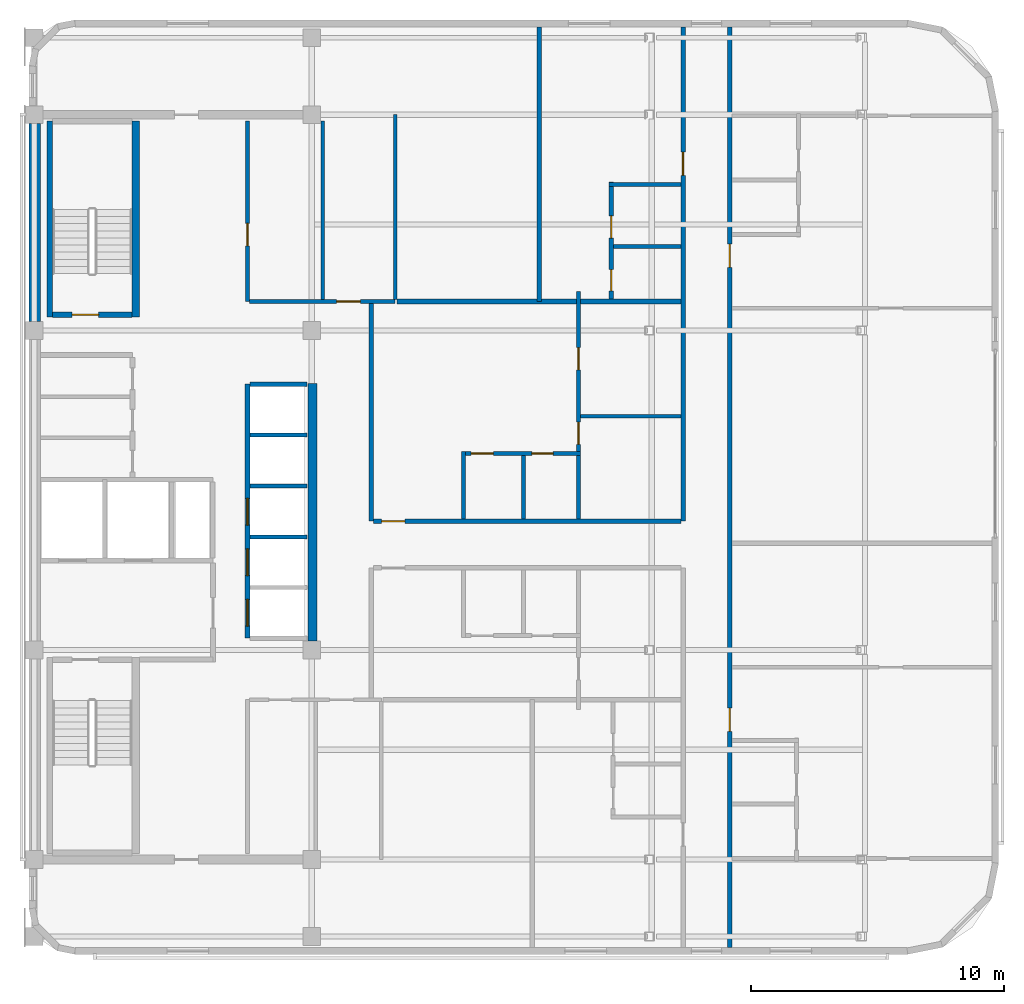
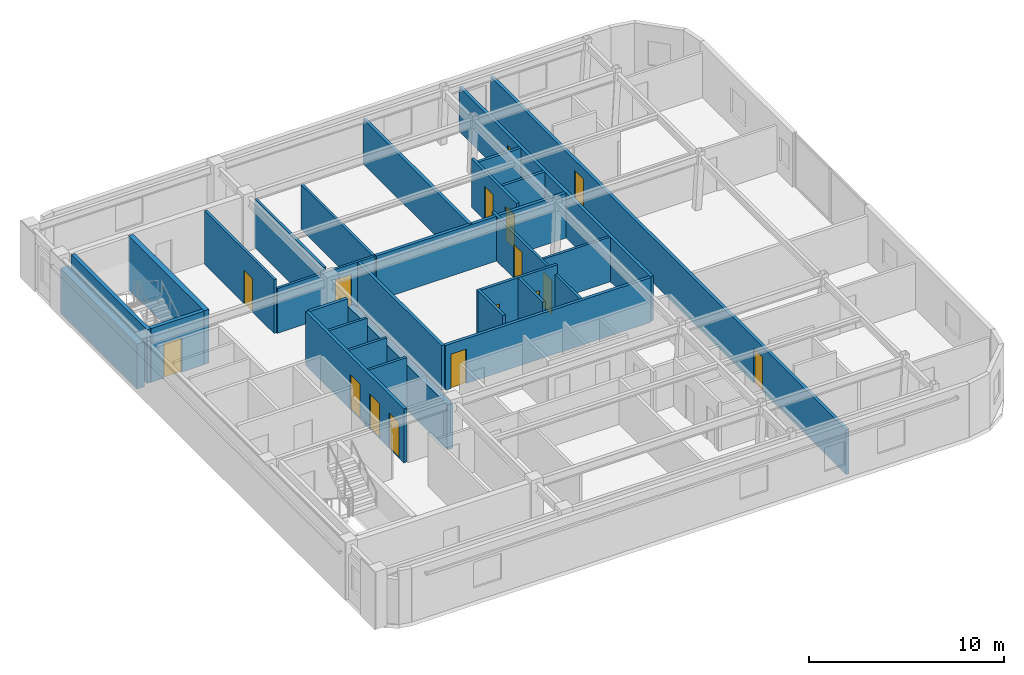
# One storey, part 5 of 10: 28 walls, 16 doors, 16 openings.
"""IFC4 building model written with IfcOpenShell, lengths in metres."""

from ifc_helpers import new_model, si_unit, direction, frame, frame_2d, origin, place, context, subcontext, project, spatial, rectangle, extrude, material, layer, layer_set, type_object, element, fill, save


model = new_model("IFC4")

# Units and contexts
model_context = context("Model", 3, precision=1e-05, world=origin(), true_north=direction((0.0, 1.0)))
body_context = subcontext(model_context, "Body", "Model", "MODEL_VIEW")
ifc_project = project(units=[si_unit("LENGTHUNIT", "METRE"), si_unit("AREAUNIT", "SQUARE_METRE"), si_unit("VOLUMEUNIT", "CUBIC_METRE"), si_unit("PLANEANGLEUNIT", "RADIAN"), si_unit("MASSUNIT", "GRAM", prefix="KILO")], contexts=[model_context])

# Site, building, storey
site_placement = place(None, origin())
site = spatial("IfcSite", under=ifc_project, at=site_placement, CompositionType="ELEMENT")
building_placement = place(site_placement, origin())
building = spatial("IfcBuilding", under=site, at=building_placement, Name="Ochreholt Gables", CompositionType="ELEMENT")
storey_placement = place(building_placement, frame((0.0, 0.0, 246.0)))
storey = spatial("IfcBuildingStorey", under=building, at=storey_placement, Name="L64", CompositionType="ELEMENT", Elevation=246.0)

# Walls
ifc_material_1 = material(Name="Concrete 50 MPa", Category="concrete")
ifc_layer_1 = layer(ifc_material_1, 0.35009765625, Name="Concrete 50 MPa")
ifc_layer_set_1 = layer_set([ifc_layer_1], Name="Concrete 50 MPa")
wall_type_1 = type_object("IfcWallType", Name="WALL-CSW-350", PredefinedType="SHEAR", material=ifc_layer_set_1)
wall_1_placement = place(storey_placement, frame((35.22509765625, 17.89990234375, 0.0), z_axis=(0.0, 0.0, 1.0), x_axis=(0.0, 1.0, 0.0)))
element("IfcWall", 1, at=wall_1_placement, inside=storey, type_object=wall_type_1, Name="L64 Core Central-East Shear Wall", PredefinedType="SHEAR", context=body_context, shape_type="SweptSolid", body=[
    extrude(rectangle(XDim=10.2001953125, YDim=0.35009765625, at=frame_2d((5.10009765625, 0.0))), origin(), (0.0, 0.0, 1.0), 2.821044921875),
])
ifc_layer_2 = layer(ifc_material_1, 0.449951171875, Name="Concrete 50 MPa")
ifc_layer_set_2 = layer_set([ifc_layer_2], Name="Concrete 50 MPa")
wall_type_2 = type_object("IfcWallType", Name="WALL-CSW-EXT", PredefinedType="SHEAR", material=ifc_layer_set_2)
wall_2_placement = place(storey_placement, frame((24.22509765625, 30.550048828125, 0.0), z_axis=(0.0, 0.0, 1.0), x_axis=(0.0, 1.0, 0.0)))
element("IfcWall", 2, at=wall_2_placement, inside=storey, type_object=wall_type_2, Name="L64 Core West Shear Wall WN", PredefinedType="SHEAR", context=body_context, shape_type="SweptSolid", body=[
    extrude(rectangle(XDim=7.849853515625, YDim=0.449951171875, at=frame_2d((3.9248046875, 0.0))), origin(), (0.0, 0.0, 1.0), 2.821044921875),
])
ifc_material_2 = material(Name="Fire-Rated Gypsum Acoustic Partition", Category="gypsum")
ifc_layer_3 = layer(ifc_material_2, 0.179931640625, Name="Fire-Rated Gypsum Acoustic Partition")
ifc_layer_set_3 = layer_set([ifc_layer_3], Name="Fire-Rated Gypsum Acoustic Partition")
wall_type_3 = type_object("IfcWallType", Name="WALL-INT-CR180", PredefinedType="STANDARD", material=ifc_layer_set_3)
wall_3_placement = place(storey_placement, frame((37.550048828125, 22.64990234375, 0.0), z_axis=(0.0, 0.0, 1.0), x_axis=(0.0, 1.0, 0.0)))
element("IfcWall", 3, at=wall_3_placement, inside=storey, type_object=wall_type_3, Name="L64 Interior Wall WI-C3CE2-L64", PredefinedType="STANDARD", context=body_context, shape_type="SweptSolid", body=[
    extrude(rectangle(XDim=8.627685546875, YDim=0.179931640625, at=frame_2d((4.31396484375, 0.0))), origin(), (0.0, 0.0, 1.0), 2.802978515625),
])

# Wall, opening, door
wall_4_placement = place(storey_placement, frame((49.89990234375, 22.64990234375, 0.0), z_axis=(0.0, 0.0, 1.0), x_axis=(0.0, 1.0, 0.0)))
wall_4 = element("IfcWall", 4, at=wall_4_placement, inside=storey, type_object=wall_type_3, Name="L64 Interior Wall WI-C3GW2-L64", PredefinedType="STANDARD", context=body_context, shape_type="SweptSolid", body=[
    extrude(rectangle(XDim=19.580078125, YDim=0.179931640625, at=frame_2d((9.7900390625, 0.0))), origin(), (0.0, 0.0, 1.0), 2.802978515625),
])
opening_1_placement = place(wall_4_placement, frame((13.699951171875, 0.0, 0.0)))
opening_1 = element("IfcOpeningElement", 5, at=opening_1_placement, cuts=wall_4, Name="Opening D-UN1", PredefinedType="OPENING", context=body_context, shape_type="SweptSolid", body=[
    extrude(rectangle(XDim=0.919921875, YDim=2.14990234375, at=frame_2d((0.4599609375, 1.074951171875))), frame((0.0, 0.099853515625, 0.0), z_axis=(0.0, -1.0, 0.0), x_axis=(1.0, 0.0, 0.0)), (0.0, 0.0, 1.0), 0.199951171875),
])
ifc_material_3 = material(Name="Engineered Oak Timber", Category="wood")
door_type_1 = type_object("IfcDoorType", Name="DR-INT-UNT920", OperationType="NOTDEFINED", PredefinedType="DOOR", material=ifc_material_3)
door_1_placement = place(opening_1_placement, origin())
door_1 = element("IfcDoor", 6, at=door_1_placement, inside=storey, type_object=door_type_1, Name="L64 Door D-U-L64NM2-ENT", OperationType="SINGLE_SWING_LEFT", OverallHeight=2.14990234375, OverallWidth=0.919921875, PredefinedType="DOOR", context=body_context, shape_type="SweptSolid", body=[
    extrude(rectangle(XDim=0.919921875, YDim=2.14990234375, at=frame_2d((0.4599609375, 1.074951171875))), frame((0.0, 0.02490234375, 0.0), z_axis=(0.0, -1.0, 0.0), x_axis=(1.0, 0.0, 0.0)), (0.0, 0.0, 1.0), 0.050048828125),
])
fill(opening_1, door_1)

wall_5_placement = place(storey_placement, frame((37.639892578125, 22.64990234375, 0.0), z_axis=(0.0, 0.0, 1.0), x_axis=(1.0, 0.0, 0.0)))
wall_5 = element("IfcWall", 7, at=wall_5_placement, inside=storey, type_object=wall_type_3, Name="L64 Interior Wall WI-C3BRN1-L64", PredefinedType="STANDARD", context=body_context, shape_type="SweptSolid", body=[
    extrude(rectangle(XDim=12.170166015625, YDim=0.179931640625, at=frame_2d((6.0849609375, 0.0))), origin(), (0.0, 0.0, 1.0), 2.802978515625),
])
opening_2_placement = place(wall_5_placement, frame((0.320068359375, 0.0, 0.0)))
opening_2 = element("IfcOpeningElement", 8, at=opening_2_placement, cuts=wall_5, Name="Opening D-UN1", PredefinedType="OPENING", context=body_context, shape_type="SweptSolid", body=[
    extrude(rectangle(XDim=0.919921875, YDim=2.14990234375, at=frame_2d((0.4599609375, 1.074951171875))), frame((0.0, 0.099853515625, 0.0), z_axis=(0.0, -1.0, 0.0), x_axis=(1.0, 0.0, 0.0)), (0.0, 0.0, 1.0), 0.199951171875),
])
door_2_placement = place(opening_2_placement, origin())
door_2 = element("IfcDoor", 9, at=door_2_placement, inside=storey, type_object=door_type_1, Name="L64 Door D-U-L64NM1-ENT", OperationType="SINGLE_SWING_RIGHT", OverallHeight=2.14990234375, OverallWidth=0.919921875, PredefinedType="DOOR", context=body_context, shape_type="SweptSolid", body=[
    extrude(rectangle(XDim=0.919921875, YDim=2.14990234375, at=frame_2d((0.4599609375, 1.074951171875))), frame((0.0, 0.02490234375, 0.0), z_axis=(0.0, -1.0, 0.0), x_axis=(1.0, 0.0, 0.0)), (0.0, 0.0, 1.0), 0.050048828125),
])
fill(opening_2, door_2)

# Wall, openings, doors
wall_6_placement = place(storey_placement, frame((51.75, 5.77001953125, 0.0), z_axis=(0.0, 0.0, 1.0), x_axis=(0.0, 1.0, 0.0)))
wall_6 = element("IfcWall", 10, at=wall_6_placement, inside=storey, type_object=wall_type_3, Name="L64 Interior Wall WI-C3GE-L64", PredefinedType="STANDARD", context=body_context, shape_type="SweptSolid", body=[
    extrude(rectangle(XDim=36.4599609375, YDim=0.179931640625, at=frame_2d((18.22998046875, 0.0))), origin(), (0.0, 0.0, 1.0), 2.802978515625),
])
opening_3_placement = place(wall_6_placement, frame((8.55859375, 0.0, 0.0)))
opening_3 = element("IfcOpeningElement", 11, at=opening_3_placement, cuts=wall_6, Name="Opening D-UN1", PredefinedType="OPENING", context=body_context, shape_type="SweptSolid", body=[
    extrude(rectangle(XDim=0.919921875, YDim=2.14990234375, at=frame_2d((0.4599609375, 1.074951171875))), frame((0.0, 0.099853515625, 0.0), z_axis=(0.0, -1.0, 0.0), x_axis=(1.0, 0.0, 0.0)), (0.0, 0.0, 1.0), 0.199951171875),
])
opening_4_placement = place(wall_6_placement, frame((26.93310546875, 0.0, 0.0)))
opening_4 = element("IfcOpeningElement", 12, at=opening_4_placement, cuts=wall_6, Name="Opening D-UN1", PredefinedType="OPENING", context=body_context, shape_type="SweptSolid", body=[
    extrude(rectangle(XDim=0.919921875, YDim=2.14990234375, at=frame_2d((0.4599609375, 1.074951171875))), frame((0.0, 0.099853515625, 0.0), z_axis=(0.0, -1.0, 0.0), x_axis=(1.0, 0.0, 0.0)), (0.0, 0.0, 1.0), 0.199951171875),
])
door_3_placement = place(opening_3_placement, origin())
door_3 = element("IfcDoor", 13, at=door_3_placement, inside=storey, type_object=door_type_1, Name="L64 Door D-U-L64E1-ENT", OperationType="SINGLE_SWING_RIGHT", OverallHeight=2.14990234375, OverallWidth=0.919921875, PredefinedType="DOOR", context=body_context, shape_type="SweptSolid", body=[
    extrude(rectangle(XDim=0.919921875, YDim=2.14990234375, at=frame_2d((0.4599609375, 1.074951171875))), frame((0.0, 0.02490234375, 0.0), z_axis=(0.0, -1.0, 0.0), x_axis=(1.0, 0.0, 0.0)), (0.0, 0.0, 1.0), 0.050048828125),
])
fill(opening_3, door_3)
door_4_placement = place(opening_4_placement, origin())
door_4 = element("IfcDoor", 14, at=door_4_placement, inside=storey, type_object=door_type_1, Name="L64 Door D-U-L64E2-ENT", OperationType="SINGLE_SWING_LEFT", OverallHeight=2.14990234375, OverallWidth=0.919921875, PredefinedType="DOOR", context=body_context, shape_type="SweptSolid", body=[
    extrude(rectangle(XDim=0.919921875, YDim=2.14990234375, at=frame_2d((0.4599609375, 1.074951171875))), frame((0.0, 0.02490234375, 0.0), z_axis=(0.0, -1.0, 0.0), x_axis=(1.0, 0.0, 0.0)), (0.0, 0.0, 1.0), 0.050048828125),
])
fill(opening_4, door_4)

# Walls
ifc_material_4 = material(Name="Double-Stud Acoustic Demising Wall", Category="gypsum")
ifc_layer_4 = layer(ifc_material_4, 0.18505859375, Name="Double-Stud Acoustic Demising Wall")
ifc_layer_set_4 = layer_set([ifc_layer_4], Name="Double-Stud Acoustic Demising Wall")
wall_type_4 = type_object("IfcWallType", Name="WALL-INT-DM185", PredefinedType="PARTITIONING", material=ifc_layer_set_4)
wall_7_placement = place(storey_placement, frame((44.199951171875, 31.35009765625, 0.0), z_axis=(0.0, 0.0, 1.0), x_axis=(0.0, 1.0, 0.0)))
element("IfcWall", 15, at=wall_7_placement, inside=storey, type_object=wall_type_4, Name="L64 Interior Wall WI-C3NMX-L64", PredefinedType="PARTITIONING", context=body_context, shape_type="SweptSolid", body=[
    extrude(rectangle(XDim=10.8798828125, YDim=0.18505859375, at=frame_2d((5.43994140625, 0.0))), origin(), (0.0, 0.0, 1.0), 2.802978515625),
])
wall_8_placement = place(storey_placement, frame((38.572509765625, 31.35009765625, 0.0), z_axis=(0.0, 0.0, 1.0), x_axis=(1.0, 0.0, 0.0)))
element("IfcWall", 16, at=wall_8_placement, inside=storey, type_object=wall_type_4, Name="L64 Interior Wall WI-C3NMY-L64", PredefinedType="PARTITIONING", context=body_context, shape_type="SweptSolid", body=[
    extrude(rectangle(XDim=11.237548828125, YDim=0.18505859375, at=frame_2d((5.61865234375, 0.0))), origin(), (0.0, 0.0, 1.0), 2.802978515625),
])

# Wall, openings, doors
ifc_material_5 = material(Name="Moisture-Resistant Plumbing Chase Wall", Category="gypsum")
ifc_layer_5 = layer(ifc_material_5, 0.159912109375, Name="Moisture-Resistant Plumbing Chase Wall")
ifc_layer_set_5 = layer_set([ifc_layer_5], Name="Moisture-Resistant Plumbing Chase Wall")
wall_type_5 = type_object("IfcWallType", Name="WALL-INT-PL160", PredefinedType="PLUMBINGWALL", material=ifc_layer_set_5)
wall_9_placement = place(storey_placement, frame((41.1298828125, 25.33251953125, 0.0), z_axis=(0.0, 0.0, 1.0), x_axis=(1.0, 0.0, 0.0)))
wall_9 = element("IfcWall", 17, at=wall_9_placement, inside=storey, type_object=wall_type_5, Name="L64 Interior Wall WU-L64NM1-WY", PredefinedType="PLUMBINGWALL", context=body_context, shape_type="SweptSolid", body=[
    extrude(rectangle(XDim=4.710205078125, YDim=0.159912109375, at=frame_2d((2.35498046875, 0.0))), origin(), (0.0, 0.0, 1.0), 3.360107421875),
])
opening_5_placement = place(wall_9_placement, frame((0.3798828125, 0.0, 0.0)))
opening_5 = element("IfcOpeningElement", 18, at=opening_5_placement, cuts=wall_9, Name="Opening D-GN2", PredefinedType="OPENING", context=body_context, shape_type="SweptSolid", body=[
    extrude(rectangle(XDim=0.8798828125, YDim=2.1201171875, at=frame_2d((0.43994140625, 1.06005859375))), frame((0.0, 0.08984375, 0.0), z_axis=(0.0, -1.0, 0.0), x_axis=(1.0, 0.0, 0.0)), (0.0, 0.0, 1.0), 0.179931640625),
])
opening_6_placement = place(wall_9_placement, frame((2.785888671875, 0.0, 0.0)))
opening_6 = element("IfcOpeningElement", 19, at=opening_6_placement, cuts=wall_9, Name="Opening D-BT2", PredefinedType="OPENING", context=body_context, shape_type="SweptSolid", body=[
    extrude(rectangle(XDim=0.840087890625, YDim=2.1201171875, at=frame_2d((0.419921875, 1.06005859375))), frame((0.0, 0.08984375, 0.0), z_axis=(0.0, -1.0, 0.0), x_axis=(1.0, 0.0, 0.0)), (0.0, 0.0, 1.0), 0.179931640625),
])
door_type_2 = type_object("IfcDoorType", Name="DR-INT-BTH840", OperationType="NOTDEFINED", PredefinedType="DOOR", material=ifc_material_3)
door_5_placement = place(opening_6_placement, origin())
door_5 = element("IfcDoor", 20, at=door_5_placement, inside=storey, type_object=door_type_2, Name="L64 Door D-U-L64NM1-BTH", OperationType="SINGLE_SWING_RIGHT", OverallHeight=2.1201171875, OverallWidth=0.840087890625, PredefinedType="DOOR", context=body_context, shape_type="SweptSolid", body=[
    extrude(rectangle(XDim=0.840087890625, YDim=2.1201171875, at=frame_2d((0.419921875, 1.06005859375))), frame((0.0, 0.02490234375, 0.0), z_axis=(0.0, -1.0, 0.0), x_axis=(1.0, 0.0, 0.0)), (0.0, 0.0, 1.0), 0.050048828125),
])
fill(opening_6, door_5)
door_type_3 = type_object("IfcDoorType", Name="DR-INT-GEN880", OperationType="NOTDEFINED", PredefinedType="DOOR", material=ifc_material_3)
door_6_placement = place(opening_5_placement, origin())
door_6 = element("IfcDoor", 21, at=door_6_placement, inside=storey, type_object=door_type_3, Name="L64 Door D-U-L64NM1-KIT", OperationType="SINGLE_SWING_LEFT", OverallHeight=2.1201171875, OverallWidth=0.8798828125, PredefinedType="DOOR", context=body_context, shape_type="SweptSolid", body=[
    extrude(rectangle(XDim=0.8798828125, YDim=2.1201171875, at=frame_2d((0.43994140625, 1.06005859375))), frame((0.0, 0.02490234375, 0.0), z_axis=(0.0, -1.0, 0.0), x_axis=(1.0, 0.0, 0.0)), (0.0, 0.0, 1.0), 0.050048828125),
])
fill(opening_5, door_6)

# Walls
wall_10_placement = place(storey_placement, frame((41.2099609375, 22.739990234375, 0.0), z_axis=(0.0, 0.0, 1.0), x_axis=(0.0, 1.0, 0.0)))
element("IfcWall", 22, at=wall_10_placement, inside=storey, type_object=wall_type_5, Name="L64 Interior Wall WU-L64NM1-FY", PredefinedType="PLUMBINGWALL", context=body_context, shape_type="SweptSolid", body=[
    extrude(rectangle(XDim=2.672607421875, YDim=0.159912109375, at=frame_2d((1.33642578125, 0.0))), origin(), (0.0, 0.0, 1.0), 3.360107421875),
])
wall_11_placement = place(storey_placement, frame((43.575927734375, 22.739990234375, 0.0), z_axis=(0.0, 0.0, 1.0), x_axis=(0.0, 1.0, 0.0)))
element("IfcWall", 23, at=wall_11_placement, inside=storey, type_object=wall_type_5, Name="L64 Interior Wall WU-L64NM1-WK", PredefinedType="PLUMBINGWALL", context=body_context, shape_type="SweptSolid", body=[
    extrude(rectangle(XDim=2.512451171875, YDim=0.159912109375, at=frame_2d((1.25634765625, 0.0))), origin(), (0.0, 0.0, 1.0), 3.360107421875),
])
wall_12_placement = place(storey_placement, frame((46.97607421875, 35.989990234375, 0.0), z_axis=(0.0, 0.0, 1.0), x_axis=(1.0, 0.0, 0.0)))
element("IfcWall", 24, at=wall_12_placement, inside=storey, type_object=wall_type_5, Name="L64 Interior Wall WU-L64NM2-WYN", PredefinedType="PLUMBINGWALL", context=body_context, shape_type="SweptSolid", body=[
    extrude(rectangle(XDim=2.833984375, YDim=0.159912109375, at=frame_2d((1.4169921875, 0.0))), origin(), (0.0, 0.0, 1.0), 2.802978515625),
])

# Wall, openings, doors
wall_13_placement = place(storey_placement, frame((47.055908203125, 31.4423828125, 0.0), z_axis=(0.0, 0.0, 1.0), x_axis=(0.0, 1.0, 0.0)))
wall_13 = element("IfcWall", 25, at=wall_13_placement, inside=storey, type_object=wall_type_5, Name="L64 Interior Wall WU-L64NM2-WX", PredefinedType="PLUMBINGWALL", context=body_context, shape_type="SweptSolid", body=[
    extrude(rectangle(XDim=4.6376953125, YDim=0.159912109375, at=frame_2d((2.31884765625, 0.0))), origin(), (0.0, 0.0, 1.0), 3.0390625),
])
opening_7_placement = place(wall_13_placement, frame((0.327392578125, 0.0, 0.0)))
opening_7 = element("IfcOpeningElement", 26, at=opening_7_placement, cuts=wall_13, Name="Opening D-BT2", PredefinedType="OPENING", context=body_context, shape_type="SweptSolid", body=[
    extrude(rectangle(XDim=0.840087890625, YDim=2.1201171875, at=frame_2d((0.419921875, 1.06005859375))), frame((0.0, 0.08984375, 0.0), z_axis=(0.0, -1.0, 0.0), x_axis=(1.0, 0.0, 0.0)), (0.0, 0.0, 1.0), 0.179931640625),
])
opening_8_placement = place(wall_13_placement, frame((2.42041015625, 0.0, 0.0)))
opening_8 = element("IfcOpeningElement", 27, at=opening_8_placement, cuts=wall_13, Name="Opening D-GN2", PredefinedType="OPENING", context=body_context, shape_type="SweptSolid", body=[
    extrude(rectangle(XDim=0.8798828125, YDim=2.1201171875, at=frame_2d((0.43994140625, 1.06005859375))), frame((0.0, 0.08984375, 0.0), z_axis=(0.0, -1.0, 0.0), x_axis=(1.0, 0.0, 0.0)), (0.0, 0.0, 1.0), 0.179931640625),
])
door_7_placement = place(opening_7_placement, origin())
door_7 = element("IfcDoor", 28, at=door_7_placement, inside=storey, type_object=door_type_2, Name="L64 Door D-U-L64NM2-BTH", OperationType="SINGLE_SWING_RIGHT", OverallHeight=2.1201171875, OverallWidth=0.840087890625, PredefinedType="DOOR", context=body_context, shape_type="SweptSolid", body=[
    extrude(rectangle(XDim=0.840087890625, YDim=2.1201171875, at=frame_2d((0.419921875, 1.06005859375))), frame((0.0, 0.02490234375, 0.0), z_axis=(0.0, -1.0, 0.0), x_axis=(1.0, 0.0, 0.0)), (0.0, 0.0, 1.0), 0.050048828125),
])
fill(opening_7, door_7)
door_8_placement = place(opening_8_placement, origin())
door_8 = element("IfcDoor", 29, at=door_8_placement, inside=storey, type_object=door_type_3, Name="L64 Door D-U-L64NM2-KIT", OperationType="SINGLE_SWING_LEFT", OverallHeight=2.1201171875, OverallWidth=0.8798828125, PredefinedType="DOOR", context=body_context, shape_type="SweptSolid", body=[
    extrude(rectangle(XDim=0.8798828125, YDim=2.1201171875, at=frame_2d((0.43994140625, 1.06005859375))), frame((0.0, 0.02490234375, 0.0), z_axis=(0.0, -1.0, 0.0), x_axis=(1.0, 0.0, 0.0)), (0.0, 0.0, 1.0), 0.050048828125),
])
fill(opening_8, door_8)

# Wall
wall_14_placement = place(storey_placement, frame((47.135986328125, 33.532958984375, 0.0), z_axis=(0.0, 0.0, 1.0), x_axis=(1.0, 0.0, 0.0)))
element("IfcWall", 30, at=wall_14_placement, inside=storey, type_object=wall_type_5, Name="L64 Interior Wall WU-L64NM2-WM", PredefinedType="PLUMBINGWALL", context=body_context, shape_type="SweptSolid", body=[
    extrude(rectangle(XDim=2.674072265625, YDim=0.159912109375, at=frame_2d((1.3369140625, 0.0))), origin(), (0.0, 0.0, 1.0), 2.802978515625),
])

# Wall, opening, door
ifc_material_6 = material(Name="Lightweight Stud Partition", Category="gypsum")
ifc_layer_6 = layer(ifc_material_6, 0.14501953125, Name="Lightweight Stud Partition")
ifc_layer_set_6 = layer_set([ifc_layer_6], Name="Lightweight Stud Partition")
wall_type_6 = type_object("IfcWallType", Name="WALL-INT-PT145", PredefinedType="PARTITIONING", material=ifc_layer_set_6)
wall_15_placement = place(storey_placement, frame((32.64990234375, 31.35009765625, 0.0), z_axis=(0.0, 0.0, 1.0), x_axis=(0.0, 1.0, 0.0)))
wall_15 = element("IfcWall", 31, at=wall_15_placement, inside=storey, type_object=wall_type_6, Name="L64 Interior Wall WI-RCM-W-L64", PredefinedType="PARTITIONING", context=body_context, shape_type="SweptSolid", body=[
    extrude(rectangle(XDim=7.14990234375, YDim=0.14501953125, at=frame_2d((3.574951171875, 0.0))), origin(), (0.0, 0.0, 1.0), 3.360107421875),
])
opening_9_placement = place(wall_15_placement, frame((2.199951171875, 0.0, 0.0)))
opening_9 = element("IfcOpeningElement", 32, at=opening_9_placement, cuts=wall_15, Name="Opening D-SV1", PredefinedType="OPENING", context=body_context, shape_type="SweptSolid", body=[
    extrude(rectangle(XDim=0.89990234375, YDim=2.10009765625, at=frame_2d((0.449951171875, 1.050048828125))), frame((0.0, 0.08251953125, 0.0), z_axis=(0.0, -1.0, 0.0), x_axis=(1.0, 0.0, 0.0)), (0.0, 0.0, 1.0), 0.1650390625),
])
ifc_material_7 = material(Name="Hollow Metal Steel", Category="steel")
door_type_4 = type_object("IfcDoorType", Name="DR-INT-SRV900", OperationType="NOTDEFINED", PredefinedType="DOOR", material=ifc_material_7)
door_9_placement = place(opening_9_placement, origin())
door_9 = element("IfcDoor", 33, at=door_9_placement, inside=storey, type_object=door_type_4, Name="L64 Door D-RCM1-L64", OperationType="SINGLE_SWING_LEFT", OverallHeight=2.10009765625, OverallWidth=0.89990234375, PredefinedType="DOOR", context=body_context, shape_type="SweptSolid", body=[
    extrude(rectangle(XDim=0.89990234375, YDim=2.10009765625, at=frame_2d((0.449951171875, 1.050048828125))), frame((0.0, 0.02490234375, 0.0), z_axis=(0.0, -1.0, 0.0), x_axis=(1.0, 0.0, 0.0)), (0.0, 0.0, 1.0), 0.050048828125),
])
fill(opening_9, door_9)

wall_16_placement = place(storey_placement, frame((32.722412109375, 31.35009765625, 0.0), z_axis=(0.0, 0.0, 1.0), x_axis=(1.0, 0.0, 0.0)))
wall_16 = element("IfcWall", 34, at=wall_16_placement, inside=storey, type_object=wall_type_6, Name="L64 Interior Wall WI-RCM-S-L64", PredefinedType="PARTITIONING", context=body_context, shape_type="SweptSolid", body=[
    extrude(rectangle(XDim=5.777587890625, YDim=0.14501953125, at=frame_2d((2.888671875, 0.0))), origin(), (0.0, 0.0, 1.0), 2.802978515625),
])
opening_10_placement = place(wall_16_placement, frame((3.452392578125, 0.0, 0.0)))
opening_10 = element("IfcOpeningElement", 35, at=opening_10_placement, cuts=wall_16, Name="Opening D-GN1", PredefinedType="OPENING", context=body_context, shape_type="SweptSolid", body=[
    extrude(rectangle(XDim=0.949951171875, YDim=2.14990234375, at=frame_2d((0.47509765625, 1.074951171875))), frame((0.0, 0.08251953125, 0.0), z_axis=(0.0, -1.0, 0.0), x_axis=(1.0, 0.0, 0.0)), (0.0, 0.0, 1.0), 0.1650390625),
])
door_type_5 = type_object("IfcDoorType", Name="DR-INT-GEN950", OperationType="NOTDEFINED", PredefinedType="DOOR", material=ifc_material_3)
door_10_placement = place(opening_10_placement, origin())
door_10 = element("IfcDoor", 36, at=door_10_placement, inside=storey, type_object=door_type_5, Name="L64 Door D-RCM2-L64", OperationType="SINGLE_SWING_RIGHT", OverallHeight=2.14990234375, OverallWidth=0.949951171875, PredefinedType="DOOR", context=body_context, shape_type="SweptSolid", body=[
    extrude(rectangle(XDim=0.949951171875, YDim=2.14990234375, at=frame_2d((0.47509765625, 1.074951171875))), frame((0.0, 0.02490234375, 0.0), z_axis=(0.0, -1.0, 0.0), x_axis=(1.0, 0.0, 0.0)), (0.0, 0.0, 1.0), 0.050048828125),
])
fill(opening_10, door_10)

# Walls
wall_17_placement = place(storey_placement, frame((38.5, 31.422607421875, 0.0), z_axis=(0.0, 0.0, 1.0), x_axis=(0.0, 1.0, 0.0)))
element("IfcWall", 37, at=wall_17_placement, inside=storey, type_object=wall_type_6, Name="L64 Interior Wall WI-RCM-E-L64", PredefinedType="PARTITIONING", context=body_context, shape_type="SweptSolid", body=[
    extrude(rectangle(XDim=7.327392578125, YDim=0.14501953125, at=frame_2d((3.66357421875, 0.0))), origin(), (0.0, 0.0, 1.0), 2.802978515625),
])
wall_18_placement = place(storey_placement, frame((35.625, 31.422607421875, 0.0), z_axis=(0.0, 0.0, 1.0), x_axis=(0.0, 1.0, 0.0)))
element("IfcWall", 38, at=wall_18_placement, inside=storey, type_object=wall_type_6, Name="L64 Interior Wall WI-RCM-DV-L64", PredefinedType="PARTITIONING", context=body_context, shape_type="SweptSolid", body=[
    extrude(rectangle(XDim=7.077392578125, YDim=0.14501953125, at=frame_2d((3.53857421875, 0.0))), origin(), (0.0, 0.0, 1.0), 3.0390625),
])

# Wall, openings, doors
wall_19_placement = place(storey_placement, frame((45.760009765625, 22.739990234375, 0.0), z_axis=(0.0, 0.0, 1.0), x_axis=(0.0, 1.0, 0.0)))
wall_19 = element("IfcWall", 39, at=wall_19_placement, inside=storey, type_object=wall_type_6, Name="L64 Interior Wall WU-L64NM1-MNX", PredefinedType="PARTITIONING", context=body_context, shape_type="SweptSolid", body=[
    extrude(rectangle(XDim=9.0, YDim=0.14501953125, at=frame_2d((4.5, 0.0))), origin(), (0.0, 0.0, 1.0), 2.802978515625),
])
opening_11_placement = place(wall_19_placement, frame((2.952392578125, 0.0, 0.0)))
opening_11 = element("IfcOpeningElement", 40, at=opening_11_placement, cuts=wall_19, Name="Opening D-BD2", PredefinedType="OPENING", context=body_context, shape_type="SweptSolid", body=[
    extrude(rectangle(XDim=0.8798828125, YDim=2.139892578125, at=frame_2d((0.43994140625, 1.06982421875))), frame((0.0, 0.08251953125, 0.0), z_axis=(0.0, -1.0, 0.0), x_axis=(1.0, 0.0, 0.0)), (0.0, 0.0, 1.0), 0.1650390625),
])
opening_12_placement = place(wall_19_placement, frame((5.9013671875, 0.0, 0.0)))
opening_12 = element("IfcOpeningElement", 41, at=opening_12_placement, cuts=wall_19, Name="Opening D-GN2", PredefinedType="OPENING", context=body_context, shape_type="SweptSolid", body=[
    extrude(rectangle(XDim=0.8798828125, YDim=2.1201171875, at=frame_2d((0.43994140625, 1.06005859375))), frame((0.0, 0.08251953125, 0.0), z_axis=(0.0, -1.0, 0.0), x_axis=(1.0, 0.0, 0.0)), (0.0, 0.0, 1.0), 0.1650390625),
])
door_type_6 = type_object("IfcDoorType", Name="DR-INT-BED880", OperationType="NOTDEFINED", PredefinedType="DOOR", material=ifc_material_3)
door_11_placement = place(opening_11_placement, origin())
door_11 = element("IfcDoor", 42, at=door_11_placement, inside=storey, type_object=door_type_6, Name="L64 Door D-U-L64NM1-BD1", OperationType="SINGLE_SWING_RIGHT", OverallHeight=2.139892578125, OverallWidth=0.8798828125, PredefinedType="DOOR", context=body_context, shape_type="SweptSolid", body=[
    extrude(rectangle(XDim=0.8798828125, YDim=2.139892578125, at=frame_2d((0.43994140625, 1.06982421875))), frame((0.0, 0.02490234375, 0.0), z_axis=(0.0, -1.0, 0.0), x_axis=(1.0, 0.0, 0.0)), (0.0, 0.0, 1.0), 0.050048828125),
])
fill(opening_11, door_11)
door_12_placement = place(opening_12_placement, origin())
door_12 = element("IfcDoor", 43, at=door_12_placement, inside=storey, type_object=door_type_3, Name="L64 Door D-U-L64NM1-BD2", OperationType="SINGLE_SWING_LEFT", OverallHeight=2.1201171875, OverallWidth=0.8798828125, PredefinedType="DOOR", context=body_context, shape_type="SweptSolid", body=[
    extrude(rectangle(XDim=0.8798828125, YDim=2.1201171875, at=frame_2d((0.43994140625, 1.06005859375))), frame((0.0, 0.02490234375, 0.0), z_axis=(0.0, -1.0, 0.0), x_axis=(1.0, 0.0, 0.0)), (0.0, 0.0, 1.0), 0.050048828125),
])
fill(opening_12, door_12)

# Walls
wall_20_placement = place(storey_placement, frame((45.840087890625, 26.8125, 0.0), z_axis=(0.0, 0.0, 1.0), x_axis=(1.0, 0.0, 0.0)))
element("IfcWall", 44, at=wall_20_placement, inside=storey, type_object=wall_type_6, Name="L64 Interior Wall WU-L64NM1-RDV", PredefinedType="PARTITIONING", context=body_context, shape_type="SweptSolid", body=[
    extrude(rectangle(XDim=3.969970703125, YDim=0.14501953125, at=frame_2d((1.98486328125, 0.0))), origin(), (0.0, 0.0, 1.0), 2.802978515625),
])
ifc_material_8 = material(Name="Gypsum Shaftliner and Steel Stud", Category="steel")
ifc_layer_7 = layer(ifc_material_8, 0.14990234375, Name="Gypsum Shaftliner and Steel Stud")
ifc_layer_set_7 = layer_set([ifc_layer_7], Name="Gypsum Shaftliner and Steel Stud")
wall_type_7 = type_object("IfcWallType", Name="WALL-INT-SH150", PredefinedType="STANDARD", material=ifc_layer_set_7)
for number, where, z_axis, x_axis, name in (
    (45, (32.739990234375, 22.02001953125, 0.0), (0.0, 0.0, 1.0), (1.0, 0.0, 0.0), "L64 Interior Wall WI-LFHE-DH2-L64"),
    (46, (32.739990234375, 24.050048828125, 0.0), (0.0, 0.0, 1.0), (1.0, 0.0, 0.0), "L64 Interior Wall WI-LFHE-DHE-L64"),
    (47, (32.739990234375, 26.070068359375, 0.0), (0.0, 0.0, 1.0), (1.0, 0.0, 0.0), "L64 Interior Wall WI-LFHE-DEX1-L64"),
):
    element("IfcWall", number, at=place(storey_placement, frame(where, z_axis=z_axis, x_axis=x_axis)), inside=storey, type_object=wall_type_7, Name=name, PredefinedType="STANDARD", context=body_context, shape_type="SweptSolid", body=[
        extrude(rectangle(XDim=2.260009765625, YDim=0.14990234375, at=frame_2d((1.1298828125, 0.0))), origin(), (0.0, 0.0, 1.0), 3.360107421875),
    ])

# Wall, openings, doors
ifc_layer_8 = layer(ifc_material_8, 0.179931640625, Name="Gypsum Shaftliner and Steel Stud")
ifc_layer_set_8 = layer_set([ifc_layer_8], Name="Gypsum Shaftliner and Steel Stud")
wall_type_8 = type_object("IfcWallType", Name="WALL-INT-SH180", PredefinedType="STANDARD", material=ifc_layer_set_8)
wall_21_placement = place(storey_placement, frame((32.64990234375, 18.02001953125, 0.0), z_axis=(0.0, 0.0, 1.0), x_axis=(0.0, 1.0, 0.0)))
wall_21 = element("IfcWall", 48, at=wall_21_placement, inside=storey, type_object=wall_type_8, Name="L64 Interior Wall WI-LFHE-FR-L64", PredefinedType="STANDARD", context=body_context, shape_type="SweptSolid", body=[
    extrude(rectangle(XDim=10.06005859375, YDim=0.179931640625, at=frame_2d((5.030029296875, 0.0))), origin(), (0.0, 0.0, 1.0), 3.360107421875),
])
opening_13_placement = place(wall_21_placement, frame((0.47998046875, 0.0, 0.0)))
opening_13 = element("IfcOpeningElement", 49, at=opening_13_placement, cuts=wall_21, Name="Opening LD-PX", PredefinedType="OPENING", context=body_context, shape_type="SweptSolid", body=[
    extrude(rectangle(XDim=1.050048828125, YDim=2.199951171875, at=frame_2d((0.52490234375, 1.10009765625))), frame((0.0, 0.099853515625, 0.0), z_axis=(0.0, -1.0, 0.0), x_axis=(1.0, 0.0, 0.0)), (0.0, 0.0, 1.0), 0.199951171875),
])
opening_14_placement = place(wall_21_placement, frame((2.47998046875, 0.0, 0.0)))
opening_14 = element("IfcOpeningElement", 50, at=opening_14_placement, cuts=wall_21, Name="Opening LD-PX", PredefinedType="OPENING", context=body_context, shape_type="SweptSolid", body=[
    extrude(rectangle(XDim=1.050048828125, YDim=2.199951171875, at=frame_2d((0.52490234375, 1.10009765625))), frame((0.0, 0.099853515625, 0.0), z_axis=(0.0, -1.0, 0.0), x_axis=(1.0, 0.0, 0.0)), (0.0, 0.0, 1.0), 0.199951171875),
])
opening_15_placement = place(wall_21_placement, frame((4.47998046875, 0.0, 0.0)))
opening_15 = element("IfcOpeningElement", 51, at=opening_15_placement, cuts=wall_21, Name="Opening LD-PX", PredefinedType="OPENING", context=body_context, shape_type="SweptSolid", body=[
    extrude(rectangle(XDim=1.050048828125, YDim=2.199951171875, at=frame_2d((0.52490234375, 1.10009765625))), frame((0.0, 0.099853515625, 0.0), z_axis=(0.0, -1.0, 0.0), x_axis=(1.0, 0.0, 0.0)), (0.0, 0.0, 1.0), 0.199951171875),
])
ifc_material_9 = material(Name="Stainless Steel", Category="steel")
door_type_7 = type_object("IfcDoorType", Name="DR-LFT-PX1050", OperationType="NOTDEFINED", PredefinedType="DOOR", material=ifc_material_9)
door_13_placement = place(opening_13_placement, origin())
door_13 = element("IfcDoor", 52, at=door_13_placement, inside=storey, type_object=door_type_7, Name="L64 Door LD-LF-H1-L64", OperationType="SLIDING_TO_LEFT", OverallHeight=2.199951171875, OverallWidth=1.050048828125, PredefinedType="DOOR", context=body_context, shape_type="SweptSolid", body=[
    extrude(rectangle(XDim=1.050048828125, YDim=2.199951171875, at=frame_2d((0.52490234375, 1.10009765625))), frame((0.0, 0.02490234375, 0.0), z_axis=(0.0, -1.0, 0.0), x_axis=(1.0, 0.0, 0.0)), (0.0, 0.0, 1.0), 0.050048828125),
])
fill(opening_13, door_13)
door_14_placement = place(opening_14_placement, origin())
door_14 = element("IfcDoor", 53, at=door_14_placement, inside=storey, type_object=door_type_7, Name="L64 Door LD-LF-H2-L64", OperationType="SLIDING_TO_LEFT", OverallHeight=2.199951171875, OverallWidth=1.050048828125, PredefinedType="DOOR", context=body_context, shape_type="SweptSolid", body=[
    extrude(rectangle(XDim=1.050048828125, YDim=2.199951171875, at=frame_2d((0.52490234375, 1.10009765625))), frame((0.0, 0.02490234375, 0.0), z_axis=(0.0, -1.0, 0.0), x_axis=(1.0, 0.0, 0.0)), (0.0, 0.0, 1.0), 0.050048828125),
])
fill(opening_14, door_14)
door_15_placement = place(opening_15_placement, origin())
door_15 = element("IfcDoor", 54, at=door_15_placement, inside=storey, type_object=door_type_7, Name="L64 Door LD-LF-H3-L64", OperationType="SLIDING_TO_LEFT", OverallHeight=2.199951171875, OverallWidth=1.050048828125, PredefinedType="DOOR", context=body_context, shape_type="SweptSolid", body=[
    extrude(rectangle(XDim=1.050048828125, YDim=2.199951171875, at=frame_2d((0.52490234375, 1.10009765625))), frame((0.0, 0.02490234375, 0.0), z_axis=(0.0, -1.0, 0.0), x_axis=(1.0, 0.0, 0.0)), (0.0, 0.0, 1.0), 0.050048828125),
])
fill(opening_15, door_15)

# Walls
wall_22_placement = place(storey_placement, frame((32.739990234375, 28.080078125, 0.0), z_axis=(0.0, 0.0, 1.0), x_axis=(1.0, 0.0, 0.0)))
element("IfcWall", 55, at=wall_22_placement, inside=storey, type_object=wall_type_8, Name="L64 Interior Wall WI-LFHE-N-L64", PredefinedType="STANDARD", context=body_context, shape_type="SweptSolid", body=[
    extrude(rectangle(XDim=2.260009765625, YDim=0.179931640625, at=frame_2d((1.1298828125, 0.0))), origin(), (0.0, 0.0, 1.0), 3.360107421875),
])
ifc_material_10 = material(Name="Concrete 60 MPa", Category="concrete")
ifc_layer_9 = layer(ifc_material_10, 0.300048828125, Name="Concrete 60 MPa")
ifc_layer_set_9 = layer_set([ifc_layer_9], Name="Concrete 60 MPa")
wall_type_9 = type_object("IfcWallType", Name="WALL-SPN-300", PredefinedType="SHEAR", material=ifc_layer_set_9)
wall_23_placement = place(storey_placement, frame((28.22998046875, 30.739990234375, 0.0), z_axis=(0.0, 0.0, 1.0), x_axis=(0.0, 1.0, 0.0)))
element("IfcWall", 56, at=wall_23_placement, inside=storey, type_object=wall_type_9, Name="L64 Core North Spine Shear Wall", PredefinedType="SHEAR", context=body_context, shape_type="SweptSolid", body=[
    extrude(rectangle(XDim=7.760009765625, YDim=0.300048828125, at=frame_2d((3.8798828125, 0.0))), origin(), (0.0, 0.0, 1.0), 3.360107421875),
])
ifc_layer_10 = layer(ifc_material_1, 0.219970703125, Name="Concrete 50 MPa")
ifc_layer_set_10 = layer_set([ifc_layer_10], Name="Concrete 50 MPa")
wall_type_10 = type_object("IfcWallType", Name="WALL-STW-220", PredefinedType="SHEAR", material=ifc_layer_set_10)
wall_24_placement = place(storey_placement, frame((24.81005859375, 30.739990234375, 0.0), z_axis=(0.0, 0.0, 1.0), x_axis=(0.0, 1.0, 0.0)))
element("IfcWall", 57, at=wall_24_placement, inside=storey, type_object=wall_type_10, Name="L64 Exit Stair 2 West Wall", PredefinedType="SHEAR", context=body_context, shape_type="SweptSolid", body=[
    extrude(rectangle(XDim=7.760009765625, YDim=0.219970703125, at=frame_2d((3.8798828125, 0.0))), origin(), (0.0, 0.0, 1.0), 3.360107421875),
])

# Wall, opening, door
wall_25_placement = place(storey_placement, frame((24.919921875, 30.830078125, 0.0), z_axis=(0.0, 0.0, 1.0), x_axis=(1.0, 0.0, 0.0)))
wall_25 = element("IfcWall", 58, at=wall_25_placement, inside=storey, type_object=wall_type_10, Name="L64 Exit Stair 2 South Wall", PredefinedType="SHEAR", context=body_context, shape_type="SweptSolid", body=[
    extrude(rectangle(XDim=3.16015625, YDim=0.219970703125, at=frame_2d((1.580078125, 0.0))), origin(), (0.0, 0.0, 1.0), 3.360107421875),
])
opening_16_placement = place(wall_25_placement, frame((0.780029296875, 0.0, 0.0)))
opening_16 = element("IfcOpeningElement", 59, at=opening_16_placement, cuts=wall_25, Name="Opening D-STC", PredefinedType="OPENING", context=body_context, shape_type="SweptSolid", body=[
    extrude(rectangle(XDim=1.050048828125, YDim=2.14990234375, at=frame_2d((0.52490234375, 1.074951171875))), frame((0.0, 0.119873046875, 0.0), z_axis=(0.0, -1.0, 0.0), x_axis=(1.0, 0.0, 0.0)), (0.0, 0.0, 1.0), 0.239990234375),
])
door_type_8 = type_object("IfcDoorType", Name="DR-INT-ST1050", OperationType="NOTDEFINED", PredefinedType="DOOR", material=ifc_material_7)
door_16_placement = place(opening_16_placement, origin())
door_16 = element("IfcDoor", 60, at=door_16_placement, inside=storey, type_object=door_type_8, Name="L64 Door D-ST2-L64", OperationType="SINGLE_SWING_RIGHT", OverallHeight=2.14990234375, OverallWidth=1.050048828125, PredefinedType="DOOR", context=body_context, shape_type="SweptSolid", body=[
    extrude(rectangle(XDim=1.050048828125, YDim=2.14990234375, at=frame_2d((0.52490234375, 1.074951171875))), frame((0.0, 0.02490234375, 0.0), z_axis=(0.0, -1.0, 0.0), x_axis=(1.0, 0.0, 0.0)), (0.0, 0.0, 1.0), 0.050048828125),
])
fill(opening_16, door_16)

save(model, "model.ifc")
